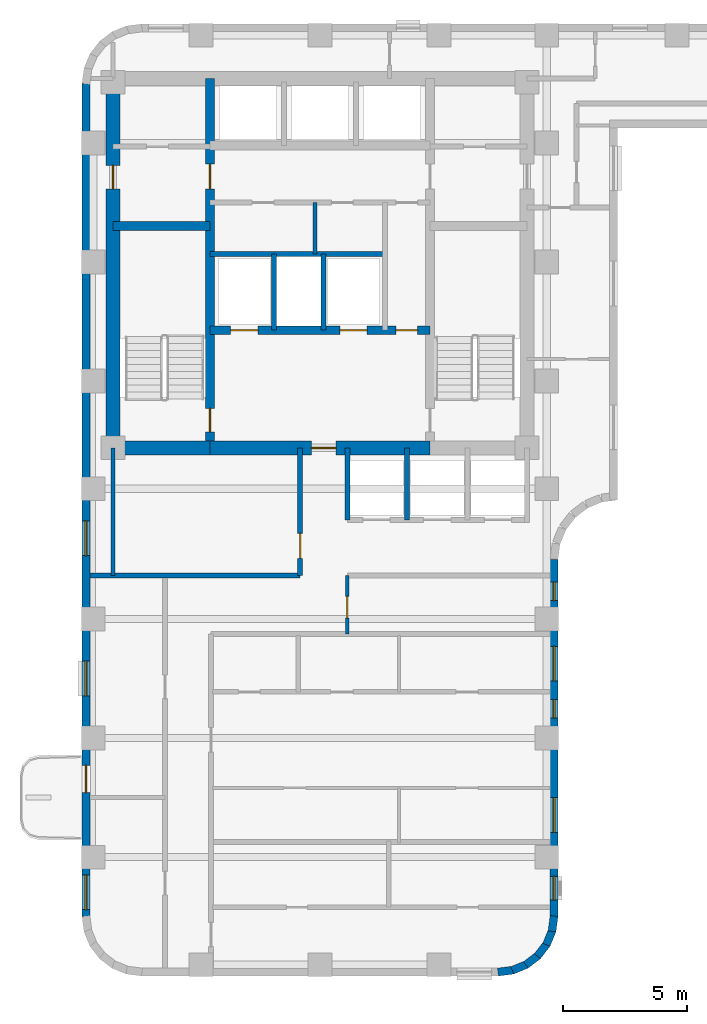
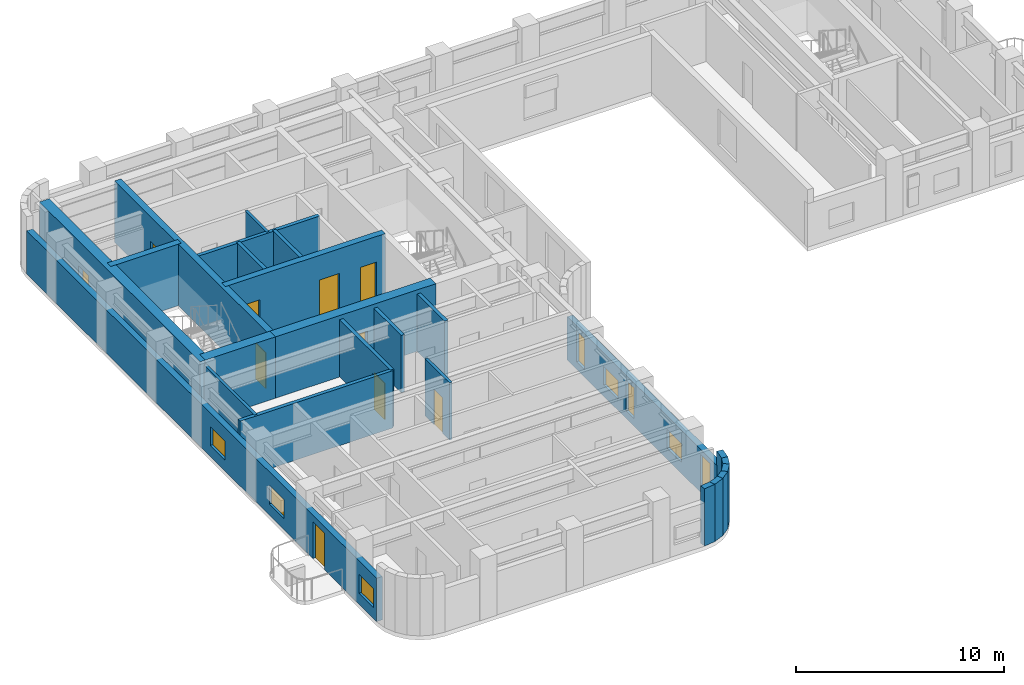
# One storey, part 3 of 9: 24 walls, 10 doors, 8 windows, 18 openings.
"""IFC4 building model written with IfcOpenShell, lengths in metres."""

from ifc_helpers import new_model, si_unit, direction, frame, frame_2d, origin, place, context, subcontext, project, spatial, rectangle, extrude, material, layer, layer_set, type_object, element, fill, save


model = new_model("IFC4")

# Units and contexts
model_context = context("Model", 3, precision=1e-05, world=origin(), true_north=direction((0.0, 1.0)))
body_context = subcontext(model_context, "Body", "Model", "MODEL_VIEW")
ifc_project = project(units=[si_unit("LENGTHUNIT", "METRE"), si_unit("AREAUNIT", "SQUARE_METRE"), si_unit("VOLUMEUNIT", "CUBIC_METRE"), si_unit("PLANEANGLEUNIT", "RADIAN"), si_unit("MASSUNIT", "GRAM", prefix="KILO")], contexts=[model_context])

# Site, building, storey
site_placement = place(None, origin())
site = spatial("IfcSite", under=ifc_project, at=site_placement, CompositionType="ELEMENT")
building_placement = place(site_placement, origin())
building = spatial("IfcBuilding", under=site, at=building_placement, Name="Orvandelia Arch Residences", CompositionType="ELEMENT")
storey_placement = place(building_placement, frame((0.0, 0.0, 186.39990234375)))
storey = spatial("IfcBuildingStorey", under=building, at=storey_placement, Name="L49", CompositionType="ELEMENT", Elevation=186.39990234375)

# Wall, openings, doors
ifc_material_1 = material(Name="Concrete C50/60", Category="concrete")
ifc_layer_1 = layer(ifc_material_1, 0.35009765625, Name="Concrete C50/60", Category="concrete")
ifc_layer_set_1 = layer_set([ifc_layer_1], Name="Concrete C50/60")
wall_type_1 = type_object("IfcWallType", Name="WL-CORE-350", PredefinedType="SHEAR", material=ifc_layer_set_1)
wall_1_placement = place(storey_placement, frame((9.9599609375, 30.89990234375, 0.0), z_axis=(0.0, 0.0, 1.0), x_axis=(0.0, 1.0, 0.0)))
wall_1 = element("IfcWall", 1, at=wall_1_placement, inside=storey, type_object=wall_type_1, Name="Core Shear Wall L49-WEB1", PredefinedType="SHEAR", context=body_context, shape_type="SweptSolid", body=[
    extrude(rectangle(XDim=14.900146484375, YDim=0.35009765625, at=frame_2d((7.4501953125, 0.0))), origin(), (0.0, 0.0, 1.0), 3.60009765625),
])
opening_1_placement = place(wall_1_placement, frame((0.64990234375, 0.0, 0.0)))
opening_1 = element("IfcOpeningElement", 2, at=opening_1_placement, cuts=wall_1, Name="Opening D7", PredefinedType="OPENING", context=body_context, shape_type="SweptSolid", body=[
    extrude(rectangle(XDim=0.949951171875, YDim=2.10009765625, at=frame_2d((0.47509765625, 1.050048828125))), frame((0.0, 0.18505859375, 0.0), z_axis=(0.0, -1.0, 0.0), x_axis=(1.0, 0.0, 0.0)), (0.0, 0.0, 1.0), 0.3701171875),
])
opening_2_placement = place(wall_1_placement, frame((10.449951171875, 0.0, 0.0)))
opening_2 = element("IfcOpeningElement", 3, at=opening_2_placement, cuts=wall_1, Name="Opening D6", PredefinedType="OPENING", context=body_context, shape_type="SweptSolid", body=[
    extrude(rectangle(XDim=1.0, YDim=2.14990234375, at=frame_2d((0.5, 1.074951171875))), frame((0.0, 0.18505859375, 0.0), z_axis=(0.0, -1.0, 0.0), x_axis=(1.0, 0.0, 0.0)), (0.0, 0.0, 1.0), 0.3701171875),
])
ifc_material_2 = material(Name="Smokeproof Painted Steel Fire Door", Category="steel")
door_type_1 = type_object("IfcDoorType", Name="DR-FD60-1000", OperationType="NOTDEFINED", PredefinedType="DOOR", material=ifc_material_2)
door_1_placement = place(opening_2_placement, origin())
door_1 = element("IfcDoor", 4, at=door_1_placement, inside=storey, type_object=door_type_1, Name="High-Rise Lift Hall West Vestibule Door L49", OperationType="SINGLE_SWING_LEFT", OverallHeight=2.14990234375, OverallWidth=1.0, PredefinedType="DOOR", context=body_context, shape_type="SweptSolid", body=[
    extrude(rectangle(XDim=1.0, YDim=2.14990234375, at=frame_2d((0.5, 1.074951171875))), frame((0.0, 0.02490234375, 0.0), z_axis=(0.0, -1.0, 0.0), x_axis=(1.0, 0.0, 0.0)), (0.0, 0.0, 1.0), 0.050048828125),
])
fill(opening_2, door_1)
ifc_material_3 = material(Name="Pressurised Stairwell Fire Door")
door_type_2 = type_object("IfcDoorType", Name="DR-STAIR-950", OperationType="NOTDEFINED", PredefinedType="DOOR", material=ifc_material_3)
door_2_placement = place(opening_1_placement, origin())
door_2 = element("IfcDoor", 5, at=door_2_placement, inside=storey, type_object=door_type_2, Name="Stairwell ST-1 Fire Door L49", OperationType="SINGLE_SWING_LEFT", OverallHeight=2.10009765625, OverallWidth=0.949951171875, PredefinedType="DOOR", context=body_context, shape_type="SweptSolid", body=[
    extrude(rectangle(XDim=0.949951171875, YDim=2.10009765625, at=frame_2d((0.47509765625, 1.050048828125))), frame((0.0, 0.02490234375, 0.0), z_axis=(0.0, -1.0, 0.0), x_axis=(1.0, 0.0, 0.0)), (0.0, 0.0, 1.0), 0.050048828125),
])
fill(opening_1, door_2)

# Wall
wall_2_placement = place(storey_placement, frame((6.050048828125, 39.85009765625, 0.0), z_axis=(0.0, 0.0, 1.0), x_axis=(1.0, 0.0, 0.0)))
element("IfcWall", 6, at=wall_2_placement, inside=storey, type_object=wall_type_1, Name="Core Shear Wall L49-HZ1", PredefinedType="SHEAR", context=body_context, shape_type="SweptSolid", body=[
    extrude(rectangle(XDim=3.909912109375, YDim=0.35009765625, at=frame_2d((1.955078125, 0.0))), origin(), (0.0, 0.0, 1.0), 3.60009765625),
])

# Wall, openings, doors
wall_3_placement = place(storey_placement, frame((9.9599609375, 35.64990234375, 0.0), z_axis=(0.0, 0.0, 1.0), x_axis=(1.0, 0.0, 0.0)))
wall_3 = element("IfcWall", 7, at=wall_3_placement, inside=storey, type_object=wall_type_1, Name="Core Shear Wall L49-HZ3", PredefinedType="SHEAR", context=body_context, shape_type="SweptSolid", body=[
    extrude(rectangle(XDim=8.880126953125, YDim=0.35009765625, at=frame_2d((4.43994140625, 0.0))), origin(), (0.0, 0.0, 1.0), 3.60009765625),
])
opening_3_placement = place(wall_3_placement, frame((0.840087890625, 0.0, 0.0)))
opening_3 = element("IfcOpeningElement", 8, at=opening_3_placement, cuts=wall_3, Name="Opening FLD", PredefinedType="OPENING", context=body_context, shape_type="SweptSolid", body=[
    extrude(rectangle(XDim=1.10009765625, YDim=2.14990234375, at=frame_2d((0.550048828125, 1.074951171875))), frame((0.0, 0.18505859375, 0.0), z_axis=(0.0, -1.0, 0.0), x_axis=(1.0, 0.0, 0.0)), (0.0, 0.0, 1.0), 0.3701171875),
])
opening_4_placement = place(wall_3_placement, frame((5.239990234375, 0.0, 0.0)))
opening_4 = element("IfcOpeningElement", 9, at=opening_4_placement, cuts=wall_3, Name="Opening FLD", PredefinedType="OPENING", context=body_context, shape_type="SweptSolid", body=[
    extrude(rectangle(XDim=1.10009765625, YDim=2.14990234375, at=frame_2d((0.550048828125, 1.074951171875))), frame((0.0, 0.18505859375, 0.0), z_axis=(0.0, -1.0, 0.0), x_axis=(1.0, 0.0, 0.0)), (0.0, 0.0, 1.0), 0.3701171875),
])
opening_5_placement = place(wall_3_placement, frame((7.5, 0.0, 0.0)))
opening_5 = element("IfcOpeningElement", 10, at=opening_5_placement, cuts=wall_3, Name="Opening D5", PredefinedType="OPENING", context=body_context, shape_type="SweptSolid", body=[
    extrude(rectangle(XDim=0.8798828125, YDim=2.10009765625, at=frame_2d((0.43994140625, 1.050048828125))), frame((0.0, 0.18505859375, 0.0), z_axis=(0.0, -1.0, 0.0), x_axis=(1.0, 0.0, 0.0)), (0.0, 0.0, 1.0), 0.3701171875),
])
ifc_material_4 = material(Name="Firefighting Lift Stainless Sliding Door")
door_type_3 = type_object("IfcDoorType", Name="DR-FLFT-1100", OperationType="NOTDEFINED", PredefinedType="DOOR", material=ifc_material_4)
door_3_placement = place(opening_3_placement, origin())
door_3 = element("IfcDoor", 11, at=door_3_placement, inside=storey, type_object=door_type_3, Name="Firefighting Lift Landing Door FLD-FL1-L49", OperationType="SLIDING_TO_LEFT", OverallHeight=2.14990234375, OverallWidth=1.10009765625, PredefinedType="DOOR", context=body_context, shape_type="SweptSolid", body=[
    extrude(rectangle(XDim=1.10009765625, YDim=2.14990234375, at=frame_2d((0.550048828125, 1.074951171875))), frame((0.0, 0.02490234375, 0.0), z_axis=(0.0, -1.0, 0.0), x_axis=(1.0, 0.0, 0.0)), (0.0, 0.0, 1.0), 0.050048828125),
])
fill(opening_3, door_3)
door_4_placement = place(opening_4_placement, origin())
door_4 = element("IfcDoor", 12, at=door_4_placement, inside=storey, type_object=door_type_3, Name="Firefighting Lift Landing Door FLD-FL2-L49", OperationType="SLIDING_TO_RIGHT", OverallHeight=2.14990234375, OverallWidth=1.10009765625, PredefinedType="DOOR", context=body_context, shape_type="SweptSolid", body=[
    extrude(rectangle(XDim=1.10009765625, YDim=2.14990234375, at=frame_2d((0.550048828125, 1.074951171875))), frame((0.0, 0.02490234375, 0.0), z_axis=(0.0, -1.0, 0.0), x_axis=(1.0, 0.0, 0.0)), (0.0, 0.0, 1.0), 0.050048828125),
])
fill(opening_4, door_4)
ifc_material_5 = material(Name="Painted Galvanised Steel Service Door", Category="steel")
door_type_4 = type_object("IfcDoorType", Name="DR-SRV-880", OperationType="NOTDEFINED", PredefinedType="DOOR", material=ifc_material_5)
door_5_placement = place(opening_5_placement, origin())
door_5 = element("IfcDoor", 13, at=door_5_placement, inside=storey, type_object=door_type_4, Name="Core Stairway Passage South Fire Door L49", OperationType="SINGLE_SWING_LEFT", OverallHeight=2.10009765625, OverallWidth=0.8798828125, PredefinedType="DOOR", context=body_context, shape_type="SweptSolid", body=[
    extrude(rectangle(XDim=0.8798828125, YDim=2.10009765625, at=frame_2d((0.43994140625, 1.050048828125))), frame((0.0, 0.02490234375, 0.0), z_axis=(0.0, -1.0, 0.0), x_axis=(1.0, 0.0, 0.0)), (0.0, 0.0, 1.0), 0.050048828125),
])
fill(opening_5, door_5)

# Wall, opening, door
ifc_material_6 = material(Name="Concrete C60/75", Category="concrete")
ifc_layer_2 = layer(ifc_material_6, 0.550048828125, Name="Concrete C60/75", Category="concrete")
ifc_layer_set_2 = layer_set([ifc_layer_2], Name="Concrete C60/75")
wall_type_2 = type_object("IfcWallType", Name="WL-CORE-550", PredefinedType="SHEAR", material=ifc_layer_set_2)
wall_4_placement = place(storey_placement, frame((6.050048828125, 30.625, 0.0), z_axis=(0.0, 0.0, 1.0), x_axis=(0.0, 1.0, 0.0)))
wall_4 = element("IfcWall", 14, at=wall_4_placement, inside=storey, type_object=wall_type_2, Name="Core Shear Wall L49-W", PredefinedType="SHEAR", context=body_context, shape_type="SweptSolid", body=[
    extrude(rectangle(XDim=15.449951171875, YDim=0.550048828125, at=frame_2d((7.72509765625, 0.0))), origin(), (0.0, 0.0, 1.0), 3.60009765625),
])
opening_6_placement = place(wall_4_placement, frame((10.72509765625, 0.0, 0.0)))
opening_6 = element("IfcOpeningElement", 15, at=opening_6_placement, cuts=wall_4, Name="Opening D2", PredefinedType="OPENING", context=body_context, shape_type="SweptSolid", body=[
    extrude(rectangle(XDim=0.949951171875, YDim=2.14990234375, at=frame_2d((0.47509765625, 1.074951171875))), frame((0.0, 0.28515625, 0.0), z_axis=(0.0, -1.0, 0.0), x_axis=(1.0, 0.0, 0.0)), (0.0, 0.0, 1.0), 0.570068359375),
])
ifc_material_7 = material(Name="Solid-Core Timber Interior Fire Door", Category="wood")
door_type_5 = type_object("IfcDoorType", Name="DR-APT-950", OperationType="NOTDEFINED", PredefinedType="DOOR", material=ifc_material_7)
door_6_placement = place(opening_6_placement, origin())
door_6 = element("IfcDoor", 16, at=door_6_placement, inside=storey, type_object=door_type_5, Name="West Viewing Study Door L49", OperationType="SINGLE_SWING_RIGHT", OverallHeight=2.14990234375, OverallWidth=0.949951171875, PredefinedType="DOOR", context=body_context, shape_type="SweptSolid", body=[
    extrude(rectangle(XDim=0.949951171875, YDim=2.14990234375, at=frame_2d((0.47509765625, 1.074951171875))), frame((0.0, 0.02490234375, 0.0), z_axis=(0.0, -1.0, 0.0), x_axis=(1.0, 0.0, 0.0)), (0.0, 0.0, 1.0), 0.050048828125),
])
fill(opening_6, door_6)

# Wall
wall_5_placement = place(storey_placement, frame((6.050048828125, 30.89990234375, 0.0), z_axis=(0.0, 0.0, 1.0), x_axis=(1.0, 0.0, 0.0)))
element("IfcWall", 17, at=wall_5_placement, inside=storey, type_object=wall_type_2, Name="Core Shear Wall L49-SW", PredefinedType="SHEAR", context=body_context, shape_type="SweptSolid", body=[
    extrude(rectangle(XDim=3.909912109375, YDim=0.550048828125, at=frame_2d((1.955078125, 0.0))), origin(), (0.0, 0.0, 1.0), 3.60009765625),
])

# Wall, opening, door
wall_6_placement = place(storey_placement, frame((9.9599609375, 30.89990234375, 0.0), z_axis=(0.0, 0.0, 1.0), x_axis=(1.0, 0.0, 0.0)))
wall_6 = element("IfcWall", 18, at=wall_6_placement, inside=storey, type_object=wall_type_2, Name="Core Shear Wall L49-SM", PredefinedType="SHEAR", context=body_context, shape_type="SweptSolid", body=[
    extrude(rectangle(XDim=8.880126953125, YDim=0.550048828125, at=frame_2d((4.43994140625, 0.0))), origin(), (0.0, 0.0, 1.0), 3.60009765625),
])
opening_7_placement = place(wall_6_placement, frame((4.090087890625, 0.0, 0.0)))
opening_7 = element("IfcOpeningElement", 19, at=opening_7_placement, cuts=wall_6, Name="Opening D6", PredefinedType="OPENING", context=body_context, shape_type="SweptSolid", body=[
    extrude(rectangle(XDim=1.0, YDim=2.14990234375, at=frame_2d((0.5, 1.074951171875))), frame((0.0, 0.28515625, 0.0), z_axis=(0.0, -1.0, 0.0), x_axis=(1.0, 0.0, 0.0)), (0.0, 0.0, 1.0), 0.570068359375),
])
door_7_placement = place(opening_7_placement, origin())
door_7 = element("IfcDoor", 20, at=door_7_placement, inside=storey, type_object=door_type_1, Name="Firefighting Lobby Smokeproof Door L49", OperationType="SINGLE_SWING_LEFT", OverallHeight=2.14990234375, OverallWidth=1.0, PredefinedType="DOOR", context=body_context, shape_type="SweptSolid", body=[
    extrude(rectangle(XDim=1.0, YDim=2.14990234375, at=frame_2d((0.5, 1.074951171875))), frame((0.0, 0.02490234375, 0.0), z_axis=(0.0, -1.0, 0.0), x_axis=(1.0, 0.0, 0.0)), (0.0, 0.0, 1.0), 0.050048828125),
])
fill(opening_7, door_7)

# Wall
ifc_material_8 = material(Name="Fire-Rated Corridor Partition")
ifc_layer_3 = layer(ifc_material_8, 0.199951171875, Name="Fire-Rated Corridor Partition")
ifc_layer_set_3 = layer_set([ifc_layer_3], Name="Fire-Rated Corridor Partition")
wall_type_3 = type_object("IfcWallType", Name="WL-CORR-200", PredefinedType="PARTITIONING", material=ifc_layer_set_3)
wall_7_placement = place(storey_placement, frame((5.1201171875, 25.75, 0.0), z_axis=(0.0, 0.0, 1.0), x_axis=(1.0, 0.0, 0.0)))
element("IfcWall", 21, at=wall_7_placement, inside=storey, type_object=wall_type_3, Name="Interior Partition Wall WL-L49-WLNK-N", PredefinedType="PARTITIONING", context=body_context, shape_type="SweptSolid", body=[
    extrude(rectangle(XDim=8.47998046875, YDim=0.199951171875, at=frame_2d((4.239990234375, 0.0))), origin(), (0.0, 0.0, 1.0), 3.360107421875),
])

# Wall, openings, windows
ifc_material_9 = material(Name="Precast concrete C40/50", Category="concrete")
ifc_layer_4 = layer(ifc_material_9, 0.320068359375, Name="Precast concrete C40/50", Category="concrete")
ifc_layer_set_4 = layer_set([ifc_layer_4], Name="Precast concrete C40/50")
wall_type_4 = type_object("IfcWallType", Name="WL-EXT-STONE-320", PredefinedType="STANDARD", material=ifc_layer_set_4)
wall_8_placement = place(storey_placement, frame((23.840087890625, 26.39990234375, 0.0), z_axis=(0.0, 0.0, 1.0), x_axis=(0.0, -1.0, 0.0)))
wall_8 = element("IfcWall", 22, at=wall_8_placement, inside=storey, type_object=wall_type_4, Name="Coral-Limestone Precast Facade Wall L49-031", PredefinedType="STANDARD", context=body_context, shape_type="SweptSolid", body=[
    extrude(rectangle(XDim=14.39990234375, YDim=0.320068359375, at=frame_2d((7.199951171875, 0.0))), origin(), (0.0, 0.0, 1.0), 2.5400390625),
])
opening_8_placement = place(wall_8_placement, frame((3.5, 0.0, 0.64990234375)))
opening_8 = element("IfcOpeningElement", 23, at=opening_8_placement, cuts=wall_8, Name="Opening W10", PredefinedType="OPENING", context=body_context, shape_type="SweptSolid", body=[
    extrude(rectangle(XDim=1.39990234375, YDim=1.10009765625, at=frame_2d((0.699951171875, 0.550048828125))), frame((0.0, 0.169921875, 0.0), z_axis=(0.0, -1.0, 0.0), x_axis=(1.0, 0.0, 0.0)), (0.0, 0.0, 1.0), 0.340087890625),
])
opening_9_placement = place(wall_8_placement, frame((9.60400390625, 0.0, 0.64990234375)))
opening_9 = element("IfcOpeningElement", 24, at=opening_9_placement, cuts=wall_8, Name="Opening W10", PredefinedType="OPENING", context=body_context, shape_type="SweptSolid", body=[
    extrude(rectangle(XDim=1.39990234375, YDim=1.10009765625, at=frame_2d((0.699951171875, 0.550048828125))), frame((0.0, 0.169921875, 0.0), z_axis=(0.0, -1.0, 0.0), x_axis=(1.0, 0.0, 0.0)), (0.0, 0.0, 1.0), 0.340087890625),
])
opening_10_placement = place(wall_8_placement, frame((12.784423828125, 0.0, 0.449951171875)))
opening_10 = element("IfcOpeningElement", 25, at=opening_10_placement, cuts=wall_8, Name="Opening W4", PredefinedType="OPENING", context=body_context, shape_type="SweptSolid", body=[
    extrude(rectangle(XDim=0.949951171875, YDim=1.800048828125, at=frame_2d((0.47509765625, 0.89990234375))), frame((0.0, 0.169921875, 0.0), z_axis=(0.0, -1.0, 0.0), x_axis=(1.0, 0.0, 0.0)), (0.0, 0.0, 1.0), 0.340087890625),
])
opening_11_placement = place(wall_8_placement, frame((5.6474609375, 0.0, 0.449951171875)))
opening_11 = element("IfcOpeningElement", 26, at=opening_11_placement, cuts=wall_8, Name="Opening W11", PredefinedType="OPENING", context=body_context, shape_type="SweptSolid", body=[
    extrude(rectangle(XDim=0.75, YDim=1.800048828125, at=frame_2d((0.375, 0.89990234375))), frame((0.0, 0.169921875, 0.0), z_axis=(0.0, -1.0, 0.0), x_axis=(1.0, 0.0, 0.0)), (0.0, 0.0, 1.0), 0.340087890625),
])
opening_12_placement = place(wall_8_placement, frame((0.907470703125, 0.0, 0.449951171875)))
opening_12 = element("IfcOpeningElement", 27, at=opening_12_placement, cuts=wall_8, Name="Opening W11", PredefinedType="OPENING", context=body_context, shape_type="SweptSolid", body=[
    extrude(rectangle(XDim=0.75, YDim=1.800048828125, at=frame_2d((0.375, 0.89990234375))), frame((0.0, 0.169921875, 0.0), z_axis=(0.0, -1.0, 0.0), x_axis=(1.0, 0.0, 0.0)), (0.0, 0.0, 1.0), 0.340087890625),
])
ifc_material_10 = material(Name="Tempered Low-E Insulated Glazing", Category="glass")
window_type_1 = type_object("IfcWindowType", Name="WIN-BED-0750x1800", PartitioningType="SINGLE_PANEL", PredefinedType="WINDOW", material=ifc_material_10)
window_1_placement = place(opening_11_placement, origin())
window_1 = element("IfcWindow", 28, at=window_1_placement, inside=storey, type_object=window_type_1, Name="Recessed Punched Window L49-019", OverallHeight=1.800048828125, OverallWidth=0.75, PartitioningType="SINGLE_PANEL", PredefinedType="WINDOW", context=body_context, shape_type="SweptSolid", body=[
    extrude(rectangle(XDim=0.75, YDim=1.800048828125, at=frame_2d((0.375, 0.89990234375))), frame((0.0, 0.030029296875, 0.0), z_axis=(0.0, -1.0, 0.0), x_axis=(1.0, 0.0, 0.0)), (0.0, 0.0, 1.0), 0.06005859375),
])
fill(opening_11, window_1)
window_2_placement = place(opening_12_placement, origin())
window_2 = element("IfcWindow", 29, at=window_2_placement, inside=storey, type_object=window_type_1, Name="Recessed Punched Window L49-020", OverallHeight=1.800048828125, OverallWidth=0.75, PartitioningType="SINGLE_PANEL", PredefinedType="WINDOW", context=body_context, shape_type="SweptSolid", body=[
    extrude(rectangle(XDim=0.75, YDim=1.800048828125, at=frame_2d((0.375, 0.89990234375))), frame((0.0, 0.030029296875, 0.0), z_axis=(0.0, -1.0, 0.0), x_axis=(1.0, 0.0, 0.0)), (0.0, 0.0, 1.0), 0.06005859375),
])
fill(opening_12, window_2)
window_type_2 = type_object("IfcWindowType", Name="WIN-CLR-1400x1100", PartitioningType="SINGLE_PANEL", PredefinedType="WINDOW", material=ifc_material_10)
window_3_placement = place(opening_8_placement, origin())
window_3 = element("IfcWindow", 30, at=window_3_placement, inside=storey, type_object=window_type_2, Name="Recessed Punched Window L49-016", OverallHeight=1.10009765625, OverallWidth=1.39990234375, PartitioningType="SINGLE_PANEL", PredefinedType="WINDOW", context=body_context, shape_type="SweptSolid", body=[
    extrude(rectangle(XDim=1.39990234375, YDim=1.10009765625, at=frame_2d((0.699951171875, 0.550048828125))), frame((0.0, 0.030029296875, 0.0), z_axis=(0.0, -1.0, 0.0), x_axis=(1.0, 0.0, 0.0)), (0.0, 0.0, 1.0), 0.06005859375),
])
fill(opening_8, window_3)
window_4_placement = place(opening_9_placement, origin())
window_4 = element("IfcWindow", 31, at=window_4_placement, inside=storey, type_object=window_type_2, Name="Recessed Punched Window L49-017", OverallHeight=1.10009765625, OverallWidth=1.39990234375, PartitioningType="SINGLE_PANEL", PredefinedType="WINDOW", context=body_context, shape_type="SweptSolid", body=[
    extrude(rectangle(XDim=1.39990234375, YDim=1.10009765625, at=frame_2d((0.699951171875, 0.550048828125))), frame((0.0, 0.030029296875, 0.0), z_axis=(0.0, -1.0, 0.0), x_axis=(1.0, 0.0, 0.0)), (0.0, 0.0, 1.0), 0.06005859375),
])
fill(opening_9, window_4)
window_type_3 = type_object("IfcWindowType", Name="WIN-RES-0950x1800", PartitioningType="SINGLE_PANEL", PredefinedType="WINDOW", material=ifc_material_10)
window_5_placement = place(opening_10_placement, origin())
window_5 = element("IfcWindow", 32, at=window_5_placement, inside=storey, type_object=window_type_3, Name="Recessed Punched Window L49-018", OverallHeight=1.800048828125, OverallWidth=0.949951171875, PartitioningType="SINGLE_PANEL", PredefinedType="WINDOW", context=body_context, shape_type="SweptSolid", body=[
    extrude(rectangle(XDim=0.949951171875, YDim=1.800048828125, at=frame_2d((0.47509765625, 0.89990234375))), frame((0.0, 0.030029296875, 0.0), z_axis=(0.0, -1.0, 0.0), x_axis=(1.0, 0.0, 0.0)), (0.0, 0.0, 1.0), 0.06005859375),
])
fill(opening_10, window_5)

# Walls
wall_9_placement = place(storey_placement, frame((23.84130859375, 12.02099609375, 0.0), z_axis=(0.0, 0.0, 1.0), x_axis=(-0.130504898859, -0.991447664465, 0.0)))
element("IfcWall", 33, at=wall_9_placement, inside=storey, type_object=wall_type_4, Name="Coral-Limestone Precast Facade Wall L49-032", PredefinedType="STANDARD", context=body_context, shape_type="SweptSolid", body=[
    extrude(rectangle(XDim=0.626708984375, YDim=0.320068359375, at=frame_2d((0.3134765625, 0.0))), origin(), (0.0, 0.0, 1.0), 3.360107421875),
])
for number, where, z_axis, x_axis, name in (
    (34, (23.7705078125, 11.43994140625, 0.0), (0.0, 0.0, 1.0), (-0.382650053678, -0.92389335771, 0.0), "Coral-Limestone Precast Facade Wall L49-033"),
    (35, (23.551513671875, 10.8974609375, 0.0), (0.0, 0.0, 1.0), (-0.608693302629, -0.793405610854, 0.0), "Coral-Limestone Precast Facade Wall L49-034"),
    (36, (23.19970703125, 10.4296875, 0.0), (0.0, 0.0, 1.0), (-0.793405610854, -0.608693302629, 0.0), "Coral-Limestone Precast Facade Wall L49-035"),
    (37, (22.73876953125, 10.0693359375, 0.0), (0.0, 0.0, 1.0), (-0.92389335771, -0.382650053678, 0.0), "Coral-Limestone Precast Facade Wall L49-036"),
    (38, (22.2001953125, 9.84033203125, 0.0), (0.0, 0.0, 1.0), (-0.9914410257, -0.130555323746, 0.0), "Coral-Limestone Precast Facade Wall L49-037"),
):
    element("IfcWall", number, at=place(storey_placement, frame(where, z_axis=z_axis, x_axis=x_axis)), inside=storey, type_object=wall_type_4, Name=name, PredefinedType="STANDARD", context=body_context, shape_type="SweptSolid", body=[
        extrude(rectangle(XDim=0.62646484375, YDim=0.320068359375, at=frame_2d((0.313232421875, 0.0))), origin(), (0.0, 0.0, 1.0), 3.360107421875),
    ])

# Wall, openings, door, windows
wall_10_placement = place(storey_placement, frame((4.9599609375, 12.0, 0.0), z_axis=(0.0, 0.0, 1.0), x_axis=(0.0, 1.0, 0.0)))
wall_10 = element("IfcWall", 39, at=wall_10_placement, inside=storey, type_object=wall_type_4, Name="Coral-Limestone Precast Facade Wall L49-045", PredefinedType="STANDARD", context=body_context, shape_type="SweptSolid", body=[
    extrude(rectangle(XDim=33.60009765625, YDim=0.320068359375, at=frame_2d((16.800048828125, 0.0))), origin(), (0.0, 0.0, 1.0), 2.5400390625),
])
opening_13_placement = place(wall_10_placement, frame((5.0, 0.0, 0.0)))
opening_13 = element("IfcOpeningElement", 40, at=opening_13_placement, cuts=wall_10, Name="Opening BD1", PredefinedType="OPENING", context=body_context, shape_type="SweptSolid", body=[
    extrude(rectangle(XDim=1.10009765625, YDim=2.14990234375, at=frame_2d((0.550048828125, 1.074951171875))), frame((0.0, 0.169921875, 0.0), z_axis=(0.0, -1.0, 0.0), x_axis=(1.0, 0.0, 0.0)), (0.0, 0.0, 1.0), 0.340087890625),
])
opening_14_placement = place(wall_10_placement, frame((14.5576171875, 0.0, 0.64990234375)))
opening_14 = element("IfcOpeningElement", 41, at=opening_14_placement, cuts=wall_10, Name="Opening W10", PredefinedType="OPENING", context=body_context, shape_type="SweptSolid", body=[
    extrude(rectangle(XDim=1.39990234375, YDim=1.10009765625, at=frame_2d((0.699951171875, 0.550048828125))), frame((0.0, 0.169921875, 0.0), z_axis=(0.0, -1.0, 0.0), x_axis=(1.0, 0.0, 0.0)), (0.0, 0.0, 1.0), 0.340087890625),
])
opening_15_placement = place(wall_10_placement, frame((0.282470703125, 0.0, 0.64990234375)))
opening_15 = element("IfcOpeningElement", 42, at=opening_15_placement, cuts=wall_10, Name="Opening W10", PredefinedType="OPENING", context=body_context, shape_type="SweptSolid", body=[
    extrude(rectangle(XDim=1.39990234375, YDim=1.10009765625, at=frame_2d((0.699951171875, 0.550048828125))), frame((0.0, 0.169921875, 0.0), z_axis=(0.0, -1.0, 0.0), x_axis=(1.0, 0.0, 0.0)), (0.0, 0.0, 1.0), 0.340087890625),
])
opening_16_placement = place(wall_10_placement, frame((8.89990234375, 0.0, 0.64990234375)))
opening_16 = element("IfcOpeningElement", 43, at=opening_16_placement, cuts=wall_10, Name="Opening W10", PredefinedType="OPENING", context=body_context, shape_type="SweptSolid", body=[
    extrude(rectangle(XDim=1.39990234375, YDim=1.10009765625, at=frame_2d((0.699951171875, 0.550048828125))), frame((0.0, 0.169921875, 0.0), z_axis=(0.0, -1.0, 0.0), x_axis=(1.0, 0.0, 0.0)), (0.0, 0.0, 1.0), 0.340087890625),
])
ifc_material_11 = material(Name="Thermally Broken Aluminium Glazed Door", Category="aluminium")
door_type_6 = type_object("IfcDoorType", Name="DR-BAL-GLAZ-1100", OperationType="NOTDEFINED", PredefinedType="DOOR", material=ifc_material_11)
door_8_placement = place(opening_13_placement, origin())
door_8 = element("IfcDoor", 44, at=door_8_placement, inside=storey, type_object=door_type_6, Name="Tree Balcony Glazed Door BAL-L49-W1", OperationType="SINGLE_SWING_RIGHT", OverallHeight=2.14990234375, OverallWidth=1.10009765625, PredefinedType="DOOR", context=body_context, shape_type="SweptSolid", body=[
    extrude(rectangle(XDim=1.10009765625, YDim=2.14990234375, at=frame_2d((0.550048828125, 1.074951171875))), frame((0.0, 0.02490234375, 0.0), z_axis=(0.0, -1.0, 0.0), x_axis=(1.0, 0.0, 0.0)), (0.0, 0.0, 1.0), 0.050048828125),
])
fill(opening_13, door_8)
window_6_placement = place(opening_14_placement, origin())
window_6 = element("IfcWindow", 45, at=window_6_placement, inside=storey, type_object=window_type_2, Name="Recessed Punched Window L49-022", OverallHeight=1.10009765625, OverallWidth=1.39990234375, PartitioningType="SINGLE_PANEL", PredefinedType="WINDOW", context=body_context, shape_type="SweptSolid", body=[
    extrude(rectangle(XDim=1.39990234375, YDim=1.10009765625, at=frame_2d((0.699951171875, 0.550048828125))), frame((0.0, 0.030029296875, 0.0), z_axis=(0.0, -1.0, 0.0), x_axis=(1.0, 0.0, 0.0)), (0.0, 0.0, 1.0), 0.06005859375),
])
fill(opening_14, window_6)
window_7_placement = place(opening_15_placement, origin())
window_7 = element("IfcWindow", 46, at=window_7_placement, inside=storey, type_object=window_type_2, Name="Recessed Punched Window L49-023", OverallHeight=1.10009765625, OverallWidth=1.39990234375, PartitioningType="SINGLE_PANEL", PredefinedType="WINDOW", context=body_context, shape_type="SweptSolid", body=[
    extrude(rectangle(XDim=1.39990234375, YDim=1.10009765625, at=frame_2d((0.699951171875, 0.550048828125))), frame((0.0, 0.030029296875, 0.0), z_axis=(0.0, -1.0, 0.0), x_axis=(1.0, 0.0, 0.0)), (0.0, 0.0, 1.0), 0.06005859375),
])
fill(opening_15, window_7)
window_8_placement = place(opening_16_placement, origin())
window_8 = element("IfcWindow", 47, at=window_8_placement, inside=storey, type_object=window_type_2, Name="Recessed Punched Window L49-024", OverallHeight=1.10009765625, OverallWidth=1.39990234375, PartitioningType="SINGLE_PANEL", PredefinedType="WINDOW", context=body_context, shape_type="SweptSolid", body=[
    extrude(rectangle(XDim=1.39990234375, YDim=1.10009765625, at=frame_2d((0.699951171875, 0.550048828125))), frame((0.0, 0.030029296875, 0.0), z_axis=(0.0, -1.0, 0.0), x_axis=(1.0, 0.0, 0.0)), (0.0, 0.0, 1.0), 0.06005859375),
])
fill(opening_16, window_8)

# Walls
ifc_material_12 = material(Name="Acoustic Gypsum Stud Partition")
ifc_layer_5 = layer(ifc_material_12, 0.14990234375, Name="Acoustic Gypsum Stud Partition")
ifc_layer_set_5 = layer_set([ifc_layer_5], Name="Acoustic Gypsum Stud Partition")
wall_type_5 = type_object("IfcWallType", Name="WL-PART-150", PredefinedType="PARTITIONING", material=ifc_layer_set_5)
wall_11_placement = place(storey_placement, frame((14.199951171875, 38.719970703125, 0.0), z_axis=(0.0, 0.0, 1.0), x_axis=(0.0, 1.0, 0.0)))
element("IfcWall", 48, at=wall_11_placement, inside=storey, type_object=wall_type_5, Name="Interior Partition Wall WL-L49-CSA-1", PredefinedType="PARTITIONING", context=body_context, shape_type="SweptSolid", body=[
    extrude(rectangle(XDim=2.080078125, YDim=0.14990234375, at=frame_2d((1.0400390625, 0.0))), origin(), (0.0, 0.0, 1.0), 3.360107421875),
])
wall_12_placement = place(storey_placement, frame((6.050048828125, 25.75, 0.0), z_axis=(0.0, 0.0, 1.0), x_axis=(0.0, 1.0, 0.0)))
element("IfcWall", 49, at=wall_12_placement, inside=storey, type_object=wall_type_5, Name="Interior Partition Wall WL-L49-B1REUSE-W", PredefinedType="PARTITIONING", context=body_context, shape_type="SweptSolid", body=[
    extrude(rectangle(XDim=5.14990234375, YDim=0.14990234375, at=frame_2d((2.574951171875, 0.0))), origin(), (0.0, 0.0, 1.0), 3.360107421875),
])

# Wall, opening, door
wall_13_placement = place(storey_placement, frame((15.5, 23.39990234375, 0.0), z_axis=(0.0, 0.0, 1.0), x_axis=(0.0, 1.0, 0.0)))
wall_13 = element("IfcWall", 50, at=wall_13_placement, inside=storey, type_object=wall_type_5, Name="Interior Partition Wall WL-L49-WLNK-E", PredefinedType="PARTITIONING", context=body_context, shape_type="SweptSolid", body=[
    extrude(rectangle(XDim=2.35009765625, YDim=0.14990234375, at=frame_2d((1.175048828125, 0.0))), origin(), (0.0, 0.0, 1.0), 3.360107421875),
])
opening_17_placement = place(wall_13_placement, frame((0.64990234375, 0.0, 0.0)))
opening_17 = element("IfcOpeningElement", 51, at=opening_17_placement, cuts=wall_13, Name="Opening D4", PredefinedType="OPENING", context=body_context, shape_type="SweptSolid", body=[
    extrude(rectangle(XDim=0.860107421875, YDim=2.10009765625, at=frame_2d((0.43017578125, 1.050048828125))), frame((0.0, 0.0849609375, 0.0), z_axis=(0.0, -1.0, 0.0), x_axis=(1.0, 0.0, 0.0)), (0.0, 0.0, 1.0), 0.169921875),
])
ifc_material_13 = material(Name="Moisture-Sealed Timber Bathroom Door", Category="wood")
door_type_7 = type_object("IfcDoorType", Name="DR-WET-900", OperationType="NOTDEFINED", PredefinedType="DOOR", material=ifc_material_13)
door_9_placement = place(opening_17_placement, origin())
door_9 = element("IfcDoor", 52, at=door_9_placement, inside=storey, type_object=door_type_7, Name="DR-L49-WLNKST", OperationType="SINGLE_SWING_RIGHT", OverallHeight=2.10009765625, OverallWidth=0.860107421875, PredefinedType="DOOR", context=body_context, shape_type="SweptSolid", body=[
    extrude(rectangle(XDim=0.860107421875, YDim=2.10009765625, at=frame_2d((0.43017578125, 1.050048828125))), frame((0.0, 0.02490234375, 0.0), z_axis=(0.0, -1.0, 0.0), x_axis=(1.0, 0.0, 0.0)), (0.0, 0.0, 1.0), 0.050048828125),
])
fill(opening_17, door_9)

# Walls
ifc_material_14 = material(Name="Fire-Rated Shaft Enclosure Wall")
ifc_layer_6 = layer(ifc_material_14, 0.199951171875, Name="Fire-Rated Shaft Enclosure Wall")
ifc_layer_set_6 = layer_set([ifc_layer_6], Name="Fire-Rated Shaft Enclosure Wall")
wall_type_6 = type_object("IfcWallType", Name="WL-SHAFT-200", PredefinedType="POLYGONAL", material=ifc_layer_set_6)
wall_14_placement = place(storey_placement, frame((9.9599609375, 38.719970703125, 0.0), z_axis=(0.0, 0.0, 1.0), x_axis=(1.0, 0.0, 0.0)))
element("IfcWall", 53, at=wall_14_placement, inside=storey, type_object=wall_type_6, Name="Interior Partition Wall WL-L49-FLN", PredefinedType="POLYGONAL", context=body_context, shape_type="SweptSolid", body=[
    extrude(rectangle(XDim=7.06005859375, YDim=0.199951171875, at=frame_2d((3.530029296875, 0.0))), origin(), (0.0, 0.0, 1.0), 3.360107421875),
])
for number, where, z_axis, x_axis, name in (
    (54, (12.550048828125, 35.64990234375, 0.0), (0.0, 0.0, 1.0), (0.0, 1.0, 0.0), "Interior Partition Wall WL-L49-FLM1"),
    (55, (14.550048828125, 35.64990234375, 0.0), (0.0, 0.0, 1.0), (0.0, 1.0, 0.0), "Interior Partition Wall WL-L49-FLM2"),
):
    element("IfcWall", number, at=place(storey_placement, frame(where, z_axis=z_axis, x_axis=x_axis)), inside=storey, type_object=wall_type_6, Name=name, PredefinedType="POLYGONAL", context=body_context, shape_type="SweptSolid", body=[
        extrude(rectangle(XDim=3.070068359375, YDim=0.199951171875, at=frame_2d((1.53515625, 0.0))), origin(), (0.0, 0.0, 1.0), 3.360107421875),
    ])

# Wall, opening, door
wall_15_placement = place(storey_placement, frame((13.60009765625, 25.75, 0.0), z_axis=(0.0, 0.0, 1.0), x_axis=(0.0, 1.0, 0.0)))
wall_15 = element("IfcWall", 56, at=wall_15_placement, inside=storey, type_object=wall_type_6, Name="Interior Partition Wall WL-L49-B1REUSE-E", PredefinedType="POLYGONAL", context=body_context, shape_type="SweptSolid", body=[
    extrude(rectangle(XDim=5.14990234375, YDim=0.199951171875, at=frame_2d((2.574951171875, 0.0))), origin(), (0.0, 0.0, 1.0), 3.360107421875),
])
opening_18_placement = place(wall_15_placement, frame((0.699951171875, 0.0, 0.0)))
opening_18 = element("IfcOpeningElement", 57, at=opening_18_placement, cuts=wall_15, Name="Opening D6", PredefinedType="OPENING", context=body_context, shape_type="SweptSolid", body=[
    extrude(rectangle(XDim=1.0, YDim=2.14990234375, at=frame_2d((0.5, 1.074951171875))), frame((0.0, 0.10986328125, 0.0), z_axis=(0.0, -1.0, 0.0), x_axis=(1.0, 0.0, 0.0)), (0.0, 0.0, 1.0), 0.219970703125),
])
door_10_placement = place(opening_18_placement, origin())
door_10 = element("IfcDoor", 58, at=door_10_placement, inside=storey, type_object=door_type_1, Name="DR-L49-B1REUSE", OperationType="SINGLE_SWING_LEFT", OverallHeight=2.14990234375, OverallWidth=1.0, PredefinedType="DOOR", context=body_context, shape_type="SweptSolid", body=[
    extrude(rectangle(XDim=1.0, YDim=2.14990234375, at=frame_2d((0.5, 1.074951171875))), frame((0.0, 0.02490234375, 0.0), z_axis=(0.0, -1.0, 0.0), x_axis=(1.0, 0.0, 0.0)), (0.0, 0.0, 1.0), 0.050048828125),
])
fill(opening_18, door_10)

# Walls
for number, where, z_axis, x_axis, name in (
    (59, (15.5, 28.0, 0.0), (0.0, 0.0, 1.0), (0.0, 1.0, 0.0), "Interior Partition Wall WL-L49-BNKM-W"),
    (60, (17.89990234375, 28.0, 0.0), (0.0, 0.0, 1.0), (0.0, 1.0, 0.0), "Interior Partition Wall WL-L49-BNKMD-1789"),
):
    element("IfcWall", number, at=place(storey_placement, frame(where, z_axis=z_axis, x_axis=x_axis)), inside=storey, type_object=wall_type_6, Name=name, PredefinedType="POLYGONAL", context=body_context, shape_type="SweptSolid", body=[
        extrude(rectangle(XDim=2.89990234375, YDim=0.199951171875, at=frame_2d((1.449951171875, 0.0))), origin(), (0.0, 0.0, 1.0), 3.360107421875),
    ])

save(model, "model.ifc")
